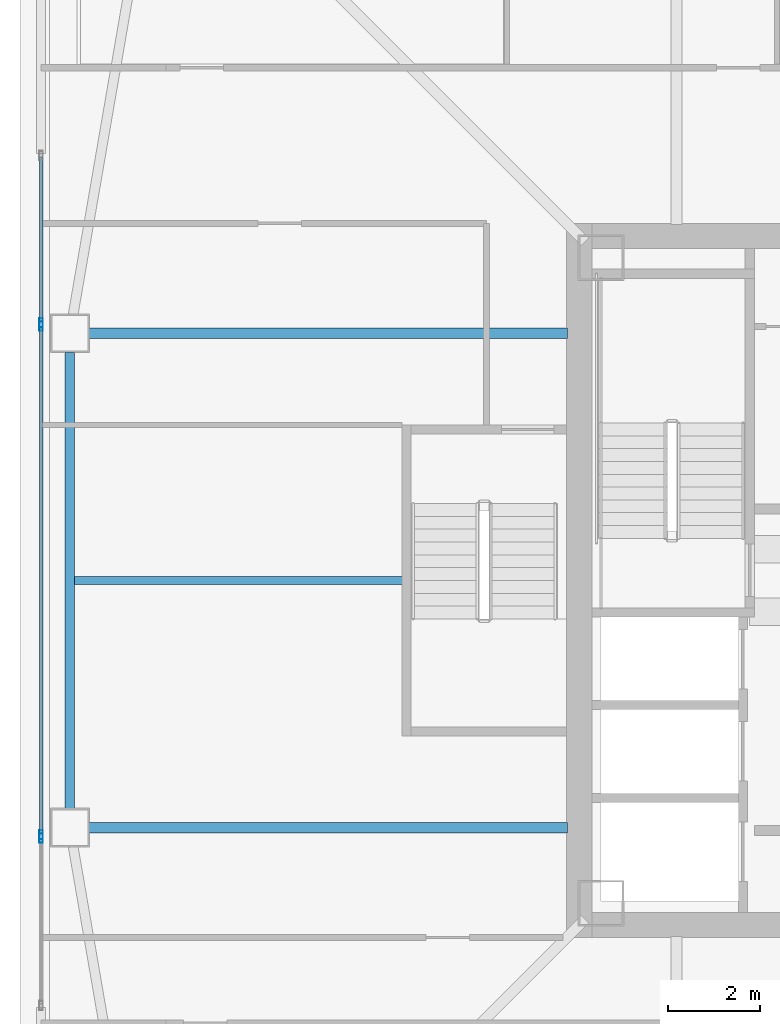
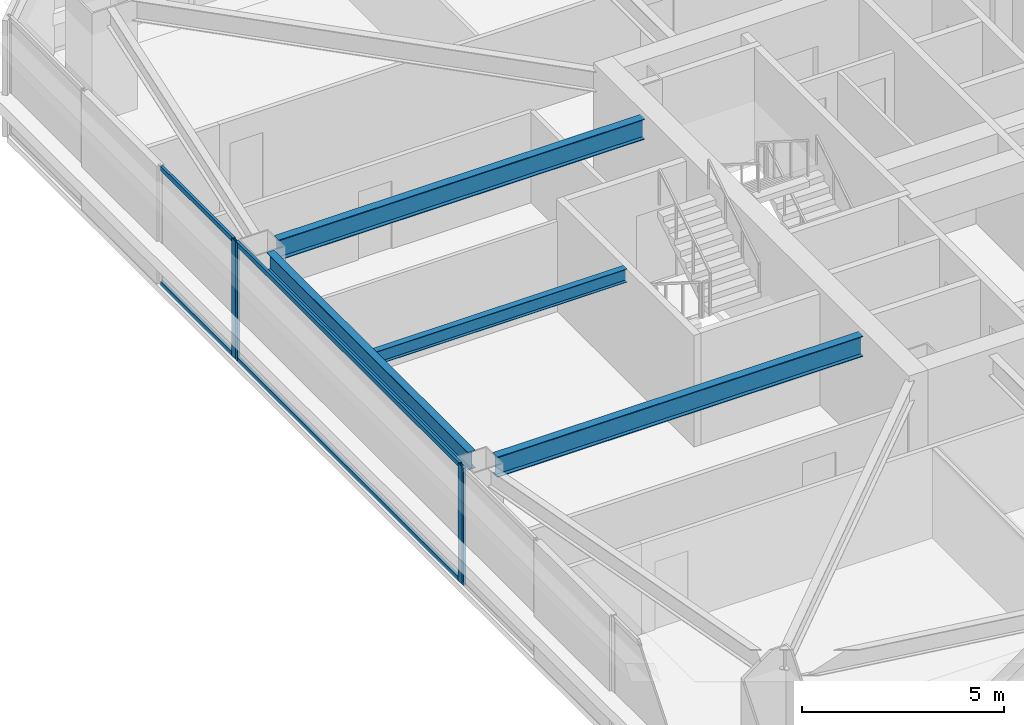
# One storey, part 8 of 46: 8 members, 4 beams, 3 elements without a shape of their own.
"""IFC4 building model written with IfcOpenShell, lengths in metres."""

from ifc_helpers import new_model, si_unit, direction, frame, origin, origin_2d, place, context, subcontext, project, spatial, hollow_rectangle, i_section, extrude, material, material_profile, profile_set, type_object, element, aggregate, save


model = new_model("IFC4")

# Units and contexts
model_context = context("Model", 3, precision=1e-05, world=origin(), true_north=direction((0.0, 1.0)))
body_context = subcontext(model_context, "Body", "Model", "MODEL_VIEW")
ifc_project = project(units=[si_unit("LENGTHUNIT", "METRE"), si_unit("AREAUNIT", "SQUARE_METRE"), si_unit("VOLUMEUNIT", "CUBIC_METRE"), si_unit("PLANEANGLEUNIT", "RADIAN"), si_unit("MASSUNIT", "GRAM", prefix="KILO")], contexts=[model_context])

# Site, building, storey
site_placement = place(None, origin())
site = spatial("IfcSite", under=ifc_project, at=site_placement, CompositionType="ELEMENT")
building_placement = place(site_placement, origin())
building = spatial("IfcBuilding", under=site, at=building_placement, Name="Tashvorn Skyway Center", CompositionType="ELEMENT")
storey_placement = place(building_placement, frame((0.0, 0.0, 139.25)))
storey = spatial("IfcBuildingStorey", under=building, at=storey_placement, Name="L37", CompositionType="ELEMENT", Elevation=139.25)

# Beams
ifc_material_1 = material(Name="Steel ASTM A992 Grade 50", Category="steel")
ifc_material_profile_1 = material_profile(ifc_material_1, i_section(OverallWidth=0.22998046875, OverallDepth=0.616943359375, WebThickness=0.01318359375, FlangeThickness=0.022216796875, at=origin_2d()), Name="W24X94")
ifc_profile_set_1 = profile_set([ifc_material_profile_1], Name="Steel ASTM A992 Grade 50")
beam_type_1 = type_object("IfcBeamType", Name="BM-BEAM-W24X94", PredefinedType="BEAM", material=ifc_profile_set_1)
for number, where, z_axis, x_axis, name in (
    (1, (23.77001953125, 37.39990234375, 3.0615234375), (1.0, 0.0, 0.0), (0.0, 1.0, 0.0), "Tower 1 L37 Primary Floor Girder FC-W1"),
    (2, (23.77001953125, 26.60009765625, 3.0615234375), (1.0, 0.0, 0.0), (0.0, 1.0, 0.0), "Tower 1 L37 Primary Floor Girder FC-W2"),
):
    element("IfcBeam", number, at=place(storey_placement, frame(where, z_axis=z_axis, x_axis=x_axis)), inside=storey, type_object=beam_type_1, Name=name, PredefinedType="BEAM", context=body_context, shape_type="SweptSolid", body=[
        extrude(i_section(OverallWidth=0.22998046875, OverallDepth=0.616943359375, WebThickness=0.01318359375, FlangeThickness=0.022216796875, at=origin_2d()), origin(), (0.0, 0.0, 1.0), 10.449951171875),
    ])
ifc_material_profile_2 = material_profile(ifc_material_1, i_section(OverallWidth=0.177978515625, OverallDepth=0.406005859375, WebThickness=0.0078125, FlangeThickness=0.0126953125, at=origin_2d()), Name="W16X40")
ifc_profile_set_2 = profile_set([ifc_material_profile_2], Name="Steel ASTM A992 Grade 50")
beam_type_2 = type_object("IfcBeamType", Name="BM-JOIST-W16X40", PredefinedType="JOIST", material=ifc_profile_set_2)
beam_1_placement = place(storey_placement, frame((30.610107421875, 32.0, 3.1669921875), z_axis=(-1.0, 0.0, 0.0), x_axis=(0.0, -1.0, 0.0)))
element("IfcBeam", 3, at=beam_1_placement, inside=storey, type_object=beam_type_2, Name="Tower 1 L37 Secondary Composite Joist JW", PredefinedType="JOIST", context=body_context, shape_type="SweptSolid", body=[
    extrude(i_section(OverallWidth=0.177978515625, OverallDepth=0.406005859375, WebThickness=0.0078125, FlangeThickness=0.0126953125, at=origin_2d()), origin(), (0.0, 0.0, 1.0), 7.16259765625),
])
ifc_material_profile_3 = material_profile(ifc_material_1, i_section(OverallWidth=0.2109375, OverallDepth=0.5390625, WebThickness=0.01171875, FlangeThickness=0.018798828125, at=origin_2d()), Name="W21X73")
ifc_profile_set_3 = profile_set([ifc_material_profile_3], Name="Steel ASTM A992 Grade 50")
beam_type_3 = type_object("IfcBeamType", Name="BM-SPANDREL-W21X73", PredefinedType="SPANDREL", material=ifc_profile_set_3)
beam_2_placement = place(storey_placement, frame((23.35009765625, 36.97998046875, 3.1005859375), z_axis=(0.0, -1.0, 0.0), x_axis=(1.0, 0.0, 0.0)))
element("IfcBeam", 4, at=beam_2_placement, inside=storey, type_object=beam_type_3, Name="Tower 1 L37 Spandrel Beam 11", PredefinedType="SPANDREL", context=body_context, shape_type="SweptSolid", body=[
    extrude(i_section(OverallWidth=0.2109375, OverallDepth=0.5390625, WebThickness=0.01171875, FlangeThickness=0.018798828125, at=origin_2d()), origin(), (0.0, 0.0, 1.0), 9.9599609375),
])

# Curtain wall, member
ifc_material_2 = material(Name="Thermally broken bronze-anodized aluminium 6063-T6", Category="aluminium")
curtain_wall_type = type_object("IfcCurtainWallType", Name="CW-CW-Z3", PredefinedType="NOTDEFINED", material=ifc_material_2)
curtain_wall_1_placement = place(storey_placement, origin())
curtain_wall_1 = element("IfcCurtainWall", 5, at=curtain_wall_1_placement, inside=storey, type_object=curtain_wall_type, Name="Tower 1 L37 West Unitised Curtain Wall Glazing Group 2", PredefinedType="NOTDEFINED")
ifc_material_profile_4 = material_profile(ifc_material_2, hollow_rectangle(XDim=0.074951171875, YDim=0.199951171875, WallThickness=0.00439453125, at=origin_2d()), Name="ALU-MULL-75x200")
ifc_profile_set_4 = profile_set([ifc_material_profile_4], Name="Thermally broken bronze-anodized aluminium 6063-T6")
member_type_1 = type_object("IfcMemberType", Name="CWM-CW-Z3", PredefinedType="MULLION", material=ifc_profile_set_4)
member_1_placement = place(storey_placement, frame((22.719970703125, 26.369140625, 0.0), z_axis=(0.0, 0.0, 1.0), x_axis=(-1.0, 0.0, 0.0)))
member_1 = element("IfcMember", 6, at=member_1_placement, type_object=member_type_1, Name="CW-Z3 mullion 2", PredefinedType="MULLION", context=body_context, shape_type="SweptSolid", body=[
    extrude(hollow_rectangle(XDim=0.074951171875, YDim=0.199951171875, WallThickness=0.00439453125, at=origin_2d()), origin(), (0.0, 0.0, 1.0), 3.550048828125),
])
aggregate(curtain_wall_1, [member_1])

# Curtain wall, members
curtain_wall_2_placement = place(storey_placement, origin())
curtain_wall_2 = element("IfcCurtainWall", 7, at=curtain_wall_2_placement, inside=storey, type_object=curtain_wall_type, Name="Tower 1 L37 West Unitised Curtain Wall Glazing Group 3", PredefinedType="NOTDEFINED")
member_2_placement = place(storey_placement, frame((22.719970703125, 26.444091796875, 0.0), z_axis=(0.0, 0.0, 1.0), x_axis=(-1.0, 0.0, 0.0)))
member_2 = element("IfcMember", 8, at=member_2_placement, type_object=member_type_1, Name="CW-Z3 mullion 1", PredefinedType="MULLION", context=body_context, shape_type="SweptSolid", body=[
    extrude(hollow_rectangle(XDim=0.074951171875, YDim=0.199951171875, WallThickness=0.00439453125, at=origin_2d()), origin(), (0.0, 0.0, 1.0), 3.550048828125),
])
member_3_placement = place(storey_placement, frame((22.719970703125, 37.555908203125, 0.0), z_axis=(0.0, 0.0, 1.0), x_axis=(-1.0, 0.0, 0.0)))
member_3 = element("IfcMember", 9, at=member_3_placement, type_object=member_type_1, Name="CW-Z3 mullion 2", PredefinedType="MULLION", context=body_context, shape_type="SweptSolid", body=[
    extrude(hollow_rectangle(XDim=0.074951171875, YDim=0.199951171875, WallThickness=0.00439453125, at=origin_2d()), origin(), (0.0, 0.0, 1.0), 3.550048828125),
])

# Curtain wall, member
curtain_wall_3_placement = place(storey_placement, origin())
curtain_wall_3 = element("IfcCurtainWall", 10, at=curtain_wall_3_placement, inside=storey, type_object=curtain_wall_type, Name="Tower 1 L37 West Unitised Curtain Wall Glazing Group 4", PredefinedType="NOTDEFINED")
member_4_placement = place(storey_placement, frame((22.719970703125, 37.630859375, 0.0), z_axis=(0.0, 0.0, 1.0), x_axis=(-1.0, 0.0, 0.0)))
member_4 = element("IfcMember", 11, at=member_4_placement, type_object=member_type_1, Name="CW-Z3 mullion 1", PredefinedType="MULLION", context=body_context, shape_type="SweptSolid", body=[
    extrude(hollow_rectangle(XDim=0.074951171875, YDim=0.199951171875, WallThickness=0.00439453125, at=origin_2d()), origin(), (0.0, 0.0, 1.0), 3.550048828125),
])

# Member
ifc_material_profile_5 = material_profile(ifc_material_2, hollow_rectangle(XDim=0.074951171875, YDim=0.139892578125, WallThickness=0.004150390625, at=origin_2d()), Name="ALU-TRAN-75x140")
ifc_profile_set_5 = profile_set([ifc_material_profile_5], Name="Thermally broken bronze-anodized aluminium 6063-T6")
member_type_2 = type_object("IfcMemberType", Name="CWT-CW-Z3", PredefinedType="USERDEFINED", material=ifc_profile_set_5)
member_5_placement = place(storey_placement, frame((22.719970703125, 26.481689453125, 0.03759765625), z_axis=(0.0, 1.0, 0.0), x_axis=(-1.0, 0.0, 0.0)))
member_5 = element("IfcMember", 12, at=member_5_placement, type_object=member_type_2, Name="CW-Z3 transom 1.1", ObjectType="TRANSOM", PredefinedType="USERDEFINED", context=body_context, shape_type="SweptSolid", body=[
    extrude(hollow_rectangle(XDim=0.074951171875, YDim=0.139892578125, WallThickness=0.004150390625, at=origin_2d()), origin(), (0.0, 0.0, 1.0), 11.03662109375),
])

member_6_placement = place(storey_placement, frame((22.719970703125, 26.481689453125, 3.512451171875), z_axis=(0.0, 1.0, 0.0), x_axis=(-1.0, 0.0, 0.0)))
member_6 = element("IfcMember", 13, at=member_6_placement, type_object=member_type_2, Name="CW-Z3 transom 1.2", ObjectType="TRANSOM", PredefinedType="USERDEFINED", context=body_context, shape_type="SweptSolid", body=[
    extrude(hollow_rectangle(XDim=0.074951171875, YDim=0.139892578125, WallThickness=0.004150390625, at=origin_2d()), origin(), (0.0, 0.0, 1.0), 11.03662109375),
])

aggregate(curtain_wall_2, [member_2, member_3, member_5, member_6])

member_7_placement = place(storey_placement, frame((22.719970703125, 37.668212890625, 0.03759765625), z_axis=(0.0, 1.0, 0.0), x_axis=(-1.0, 0.0, 0.0)))
member_7 = element("IfcMember", 14, at=member_7_placement, type_object=member_type_2, Name="CW-Z3 transom 1.1", ObjectType="TRANSOM", PredefinedType="USERDEFINED", context=body_context, shape_type="SweptSolid", body=[
    extrude(hollow_rectangle(XDim=0.074951171875, YDim=0.139892578125, WallThickness=0.004150390625, at=origin_2d()), origin(), (0.0, 0.0, 1.0), 3.5791015625),
])

member_8_placement = place(storey_placement, frame((22.719970703125, 37.668212890625, 3.512451171875), z_axis=(0.0, 1.0, 0.0), x_axis=(-1.0, 0.0, 0.0)))
member_8 = element("IfcMember", 15, at=member_8_placement, type_object=member_type_2, Name="CW-Z3 transom 1.2", ObjectType="TRANSOM", PredefinedType="USERDEFINED", context=body_context, shape_type="SweptSolid", body=[
    extrude(hollow_rectangle(XDim=0.074951171875, YDim=0.139892578125, WallThickness=0.004150390625, at=origin_2d()), origin(), (0.0, 0.0, 1.0), 3.5791015625),
])

aggregate(curtain_wall_3, [member_4, member_7, member_8])

save(model, "model.ifc")
